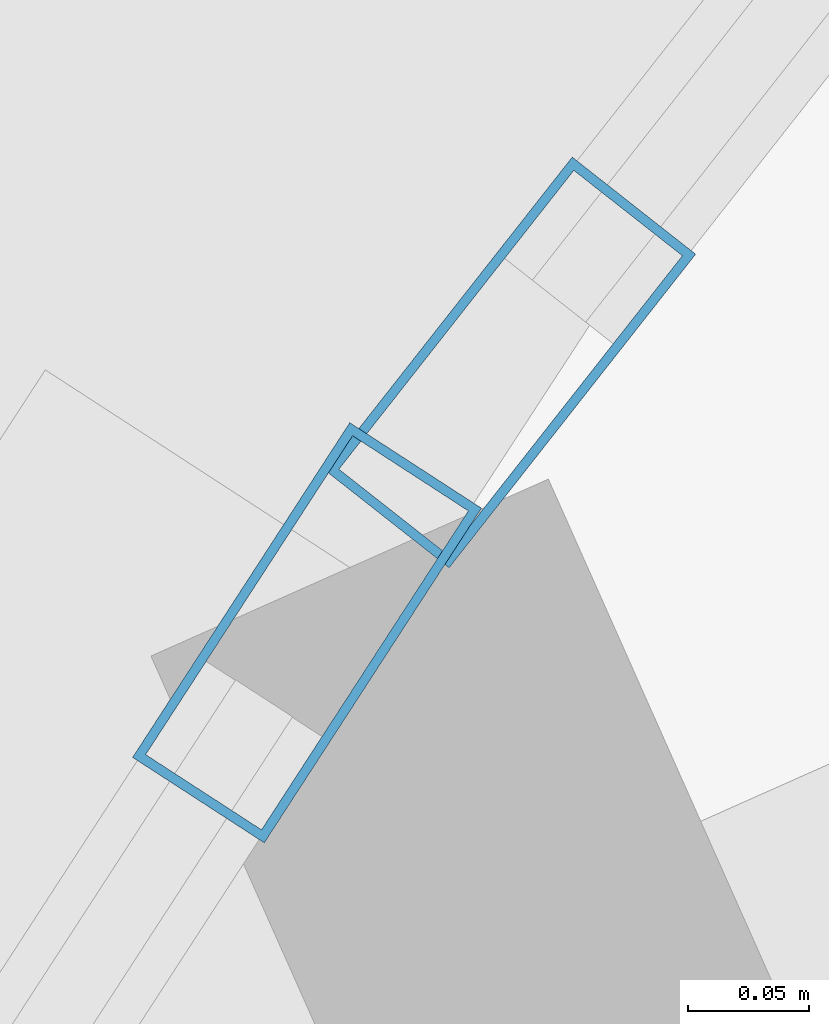
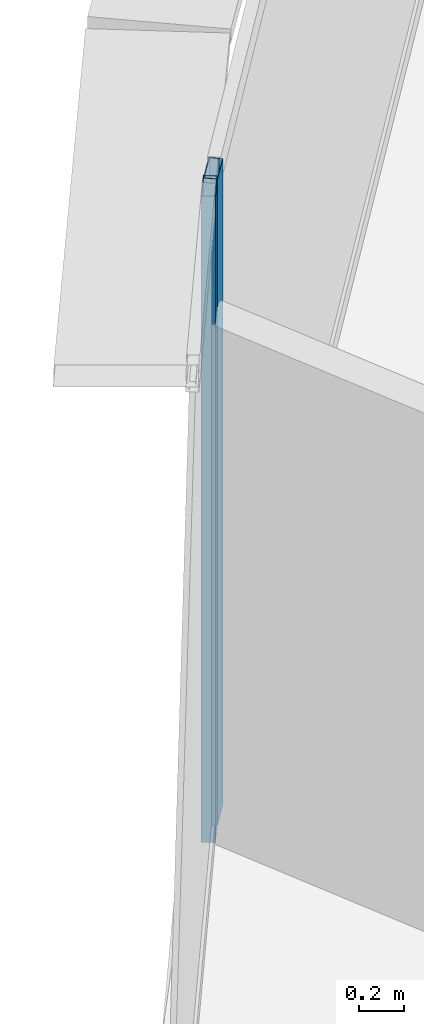
# One storey, part 16 of 37: 2 members, 2 elements without a shape of their own.
"""IFC4 building model written with IfcOpenShell, lengths in metres."""

from ifc_helpers import new_model, si_unit, direction, frame, origin, origin_2d, place, context, subcontext, project, spatial, hollow_rectangle, extrude, source, transform, mapped, material, layer, layer_set, material_profile, profile_set, type_object, element, aggregate, save


model = new_model("IFC4")

# Units and contexts
model_context = context("Model", 3, precision=1e-05, world=origin(), true_north=direction((0.0, 1.0)))
body_context = subcontext(model_context, "Body", "Model", "MODEL_VIEW")
ifc_project = project(units=[si_unit("LENGTHUNIT", "METRE"), si_unit("AREAUNIT", "SQUARE_METRE"), si_unit("VOLUMEUNIT", "CUBIC_METRE"), si_unit("PLANEANGLEUNIT", "RADIAN"), si_unit("MASSUNIT", "GRAM", prefix="KILO"), si_unit("THERMODYNAMICTEMPERATUREUNIT", "KELVIN"), si_unit("POWERUNIT", "WATT")], contexts=[model_context])

# Site, building, storey
site_placement = place(None, origin())
site = spatial("IfcSite", under=ifc_project, at=site_placement, CompositionType="ELEMENT")
building_placement = place(site_placement, origin())
building = spatial("IfcBuilding", under=site, at=building_placement, Name="Yunzhuo Pagoda Commons", CompositionType="ELEMENT")
storey_placement = place(building_placement, frame((0.0, 0.0, 88.780029296875)))
storey = spatial("IfcBuildingStorey", under=building, at=storey_placement, Name="L22", CompositionType="ELEMENT", Elevation=88.780029296875)

# Curtain wall, member
ifc_material = material(Name="Anodized aluminium 6063-T6", Category="aluminium")
ifc_layer = layer(ifc_material, 0.1650390625)
ifc_layer_set = layer_set([ifc_layer], Name="Anodized aluminium 6063-T6")
curtain_wall_type = type_object("IfcCurtainWallType", Name="CW-LOW Low-Zone Ribbon Curtain Wall", PredefinedType="NOTDEFINED", material=ifc_layer_set)
curtain_wall_1_placement = place(storey_placement, origin())
curtain_wall_1 = element("IfcCurtainWall", 1, at=curtain_wall_1_placement, inside=storey, type_object=curtain_wall_type, Name="L22 curtain wall CW-L22-F3B2", PredefinedType="NOTDEFINED")
ifc_material_profile = material_profile(ifc_material, hollow_rectangle(XDim=0.06494140625, YDim=0.1650390625, WallThickness=0.00390625, at=origin_2d()), Name="Anodized aluminium 6063-T6")
ifc_profile_set = profile_set([ifc_material_profile], Name="Anodized aluminium 6063-T6")
member_type = type_object("IfcMemberType", Name="CW-LOW-M Mullion RHS 165x65x4", PredefinedType="MULLION", material=ifc_profile_set)
shared_shape = source(origin(), body_context, "Body", "SweptSolid", [
    extrude(hollow_rectangle(XDim=0.06494140625, YDim=0.1650390625, WallThickness=0.00390625, at=origin_2d()), origin(), (0.0, 0.0, 1.0), 3.5400390625),
])
member_1_placement = place(storey_placement, frame((31.078369140625, 71.639892578125, 0.0), z_axis=(0.0, 0.0, 1.0), x_axis=(0.838906636672, -0.544275348466, 0.0)))
member_1 = element("IfcMember", 2, at=member_1_placement, type_object=member_type, Name="CW mullion 1", PredefinedType="MULLION", context=body_context, shape_type="MappedRepresentation", body=[
    mapped(shared_shape, transform((0.0, 0.0, 0.0), scale=1.0)),
])
aggregate(curtain_wall_1, [member_1])

curtain_wall_2_placement = place(storey_placement, origin())
curtain_wall_2 = element("IfcCurtainWall", 3, at=curtain_wall_2_placement, inside=storey, type_object=curtain_wall_type, Name="L22 curtain wall CW-L22-F3B1", PredefinedType="NOTDEFINED")
member_2_placement = place(storey_placement, frame((31.16259765625, 71.751708984375, 0.0), z_axis=(0.0, 0.0, 1.0), x_axis=(0.786130948635, -0.618059974111, 0.0)))
member_2 = element("IfcMember", 4, at=member_2_placement, type_object=member_type, Name="CW mullion 2", PredefinedType="MULLION", context=body_context, shape_type="MappedRepresentation", body=[
    mapped(shared_shape, transform((0.0, 0.0, 0.0), scale=1.0)),
])
aggregate(curtain_wall_2, [member_2])

save(model, "model.ifc")
